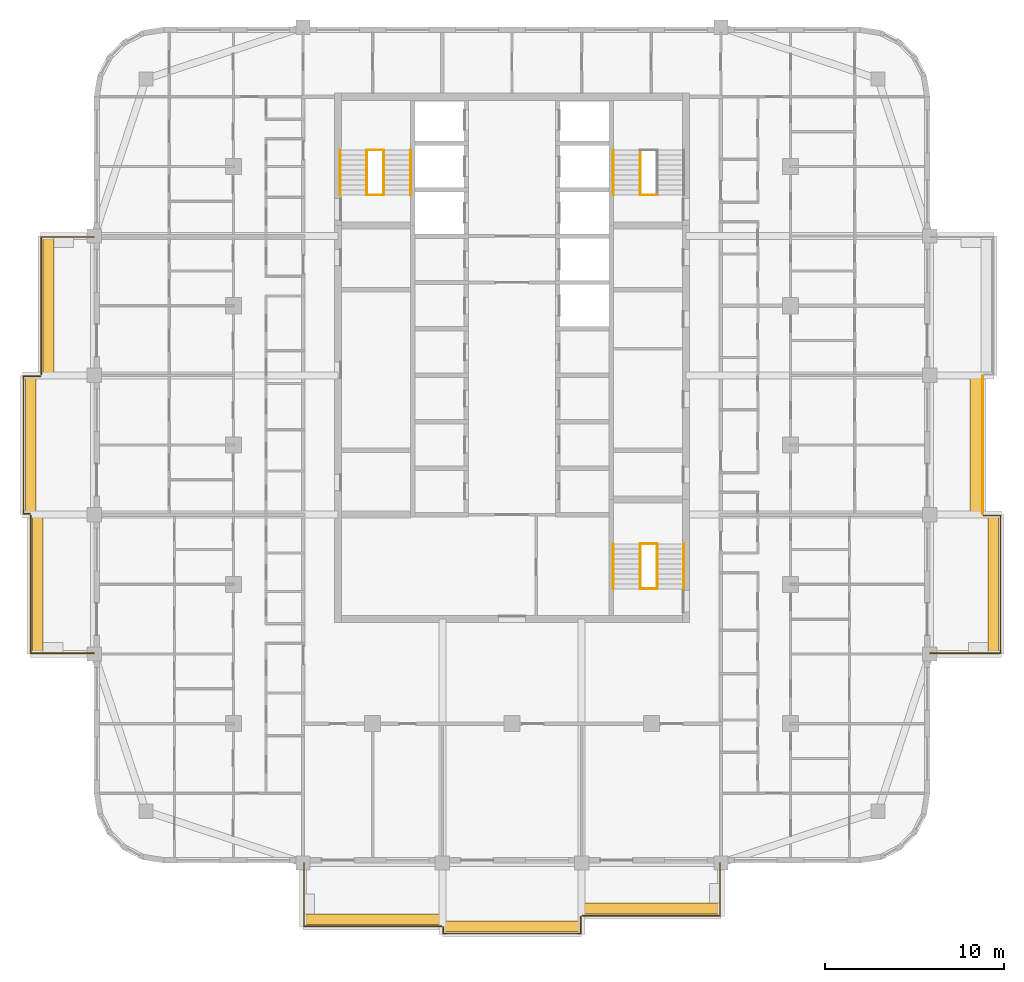
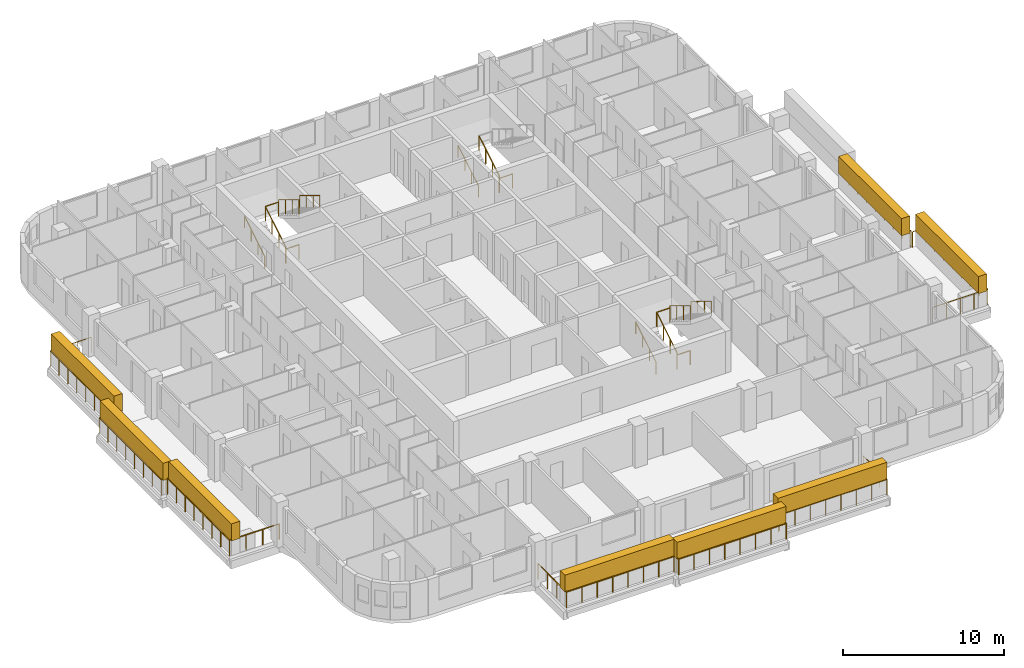
# One storey, part 15 of 16: 23 railings, 8 coverings, 3 elements without a shape of their own.
"""IFC4 building model written with IfcOpenShell, lengths in metres."""

from ifc_helpers import new_model, si_unit, direction, frame, origin, origin_2d, place, context, subcontext, project, spatial, rectangle, circle, extrude, material, layer, layer_set, type_object, element, aggregate, save


model = new_model("IFC4")

# Units and contexts
model_context = context("Model", 3, precision=1e-05, world=origin(), true_north=direction((0.0, 1.0)))
body_context = subcontext(model_context, "Body", "Model", "MODEL_VIEW")
ifc_project = project(units=[si_unit("LENGTHUNIT", "METRE"), si_unit("AREAUNIT", "SQUARE_METRE"), si_unit("VOLUMEUNIT", "CUBIC_METRE"), si_unit("PLANEANGLEUNIT", "RADIAN"), si_unit("MASSUNIT", "GRAM", prefix="KILO")], contexts=[model_context])

# Site, building, storey
site_placement = place(None, origin())
site = spatial("IfcSite", under=ifc_project, at=site_placement, CompositionType="ELEMENT")
building_placement = place(site_placement, origin())
building = spatial("IfcBuilding", under=site, at=building_placement, Name="Ludao Terraces", CompositionType="ELEMENT")
storey_placement = place(building_placement, frame((0.0, 0.0, 207.5)))
storey = spatial("IfcBuildingStorey", under=building, at=storey_placement, Name="L56", CompositionType="ELEMENT", Elevation=207.5)

# Railings
ifc_material_1 = material(Name="Stainless steel 304", Category="steel")
railing_type_1 = type_object("IfcRailingType", Name="ENV Balcony glass guard 1200", PredefinedType="GUARDRAIL", material=ifc_material_1)
railing_1_placement = place(storey_placement, frame((73.35009765625, 41.60009765625, 0.0)))
element("IfcRailing", 1, at=railing_1_placement, inside=storey, type_object=railing_type_1, Name="Balcony guard L56 S1", PredefinedType="GUARDRAIL", context=body_context, shape_type="SweptSolid", body=[
    extrude(circle(Radius=0.02392578125, at=origin_2d()), frame((0.0, 0.0, 1.17578125), z_axis=(0.0, -1.0, 0.0), x_axis=(1.0, 0.0, 0.0)), (0.0, 0.0, 1.0), 3.550048828125),
    extrude(circle(Radius=0.02392578125, at=origin_2d()), frame((0.0, -3.550048828125, 1.17578125), z_axis=(1.0, 0.0, 0.0), x_axis=(0.0, 1.0, 0.0)), (0.0, 0.0, 1.0), 7.699951171875),
    extrude(circle(Radius=0.02099609375, at=origin_2d()), origin(), (0.0, 0.0, 1.0), 1.15185546875),
    extrude(circle(Radius=0.02099609375, at=origin_2d()), frame((0.0, -1.183349609375, 0.0)), (0.0, 0.0, 1.0), 1.15185546875),
    extrude(circle(Radius=0.02099609375, at=origin_2d()), frame((0.0, -2.36669921875, 0.0)), (0.0, 0.0, 1.0), 1.15185546875),
    extrude(circle(Radius=0.02099609375, at=origin_2d()), frame((0.0, -3.550048828125, 0.0)), (0.0, 0.0, 1.0), 1.15185546875),
    extrude(circle(Radius=0.02099609375, at=origin_2d()), frame((1.10009765625, -3.550048828125, 0.0)), (0.0, 0.0, 1.0), 1.15185546875),
    extrude(circle(Radius=0.02099609375, at=origin_2d()), frame((2.199951171875, -3.550048828125, 0.0)), (0.0, 0.0, 1.0), 1.15185546875),
    extrude(circle(Radius=0.02099609375, at=origin_2d()), frame((3.300048828125, -3.550048828125, 0.0)), (0.0, 0.0, 1.0), 1.15185546875),
    extrude(circle(Radius=0.02099609375, at=origin_2d()), frame((4.39990234375, -3.550048828125, 0.0)), (0.0, 0.0, 1.0), 1.15185546875),
    extrude(circle(Radius=0.02099609375, at=origin_2d()), frame((5.5, -3.550048828125, 0.0)), (0.0, 0.0, 1.0), 1.15185546875),
    extrude(circle(Radius=0.02099609375, at=origin_2d()), frame((6.599853515625, -3.550048828125, 0.0)), (0.0, 0.0, 1.0), 1.15185546875),
    extrude(circle(Radius=0.02099609375, at=origin_2d()), frame((7.699951171875, -3.550048828125, 0.0)), (0.0, 0.0, 1.0), 1.15185546875),
])
railing_2_placement = place(storey_placement, frame((81.14990234375, 38.0, 0.0)))
element("IfcRailing", 2, at=railing_2_placement, inside=storey, type_object=railing_type_1, Name="Balcony guard L56 S2", PredefinedType="GUARDRAIL", context=body_context, shape_type="SweptSolid", body=[
    extrude(circle(Radius=0.02392578125, at=origin_2d()), frame((0.0, 0.0, 1.17578125), z_axis=(0.0, -1.0, 0.0), x_axis=(1.0, 0.0, 0.0)), (0.0, 0.0, 1.0), 0.35009765625),
    extrude(circle(Radius=0.02392578125, at=origin_2d()), frame((0.0, -0.35009765625, 1.17578125), z_axis=(1.0, 0.0, 0.0), x_axis=(0.0, 1.0, 0.0)), (0.0, 0.0, 1.0), 7.7001953125),
    extrude(circle(Radius=0.02392578125, at=origin_2d()), frame((7.7001953125, -0.35009765625, 1.17578125), z_axis=(0.0, 1.0, 0.0), x_axis=(-1.0, 0.0, 0.0)), (0.0, 0.0, 1.0), 0.9501953125),
    extrude(circle(Radius=0.02099609375, at=origin_2d()), origin(), (0.0, 0.0, 1.0), 1.15185546875),
    extrude(circle(Radius=0.02099609375, at=origin_2d()), frame((0.0, -0.35009765625, 0.0)), (0.0, 0.0, 1.0), 1.15185546875),
    extrude(circle(Radius=0.02099609375, at=origin_2d()), frame((1.10009765625, -0.35009765625, 0.0)), (0.0, 0.0, 1.0), 1.15185546875),
    extrude(circle(Radius=0.02099609375, at=origin_2d()), frame((2.199951171875, -0.35009765625, 0.0)), (0.0, 0.0, 1.0), 1.15185546875),
    extrude(circle(Radius=0.02099609375, at=origin_2d()), frame((3.300048828125, -0.35009765625, 0.0)), (0.0, 0.0, 1.0), 1.15185546875),
    extrude(circle(Radius=0.02099609375, at=origin_2d()), frame((4.400146484375, -0.35009765625, 0.0)), (0.0, 0.0, 1.0), 1.15185546875),
    extrude(circle(Radius=0.02099609375, at=origin_2d()), frame((5.500244140625, -0.35009765625, 0.0)), (0.0, 0.0, 1.0), 1.15185546875),
    extrude(circle(Radius=0.02099609375, at=origin_2d()), frame((6.60009765625, -0.35009765625, 0.0)), (0.0, 0.0, 1.0), 1.15185546875),
    extrude(circle(Radius=0.02099609375, at=origin_2d()), frame((7.7001953125, -0.35009765625, 0.0)), (0.0, 0.0, 1.0), 1.15185546875),
    extrude(circle(Radius=0.02099609375, at=origin_2d()), frame((7.7001953125, 0.60009765625, 0.0)), (0.0, 0.0, 1.0), 1.15185546875),
])
railing_3_placement = place(storey_placement, frame((88.949951171875, 38.64990234375, 0.0)))
element("IfcRailing", 3, at=railing_3_placement, inside=storey, type_object=railing_type_1, Name="Balcony guard L56 S3", PredefinedType="GUARDRAIL", context=body_context, shape_type="SweptSolid", body=[
    extrude(circle(Radius=0.02392578125, at=origin_2d()), frame((0.0, 0.0, 1.17578125), z_axis=(1.0, 0.0, 0.0), x_axis=(0.0, 1.0, 0.0)), (0.0, 0.0, 1.0), 7.699951171875),
    extrude(circle(Radius=0.02392578125, at=origin_2d()), frame((7.699951171875, 0.0, 1.17578125), z_axis=(0.0, 1.0, 0.0), x_axis=(-1.0, 0.0, 0.0)), (0.0, 0.0, 1.0), 2.9501953125),
    extrude(circle(Radius=0.02099609375, at=origin_2d()), origin(), (0.0, 0.0, 1.0), 1.15185546875),
    extrude(circle(Radius=0.02099609375, at=origin_2d()), frame((1.10009765625, 0.0, 0.0)), (0.0, 0.0, 1.0), 1.15185546875),
    extrude(circle(Radius=0.02099609375, at=origin_2d()), frame((2.199951171875, 0.0, 0.0)), (0.0, 0.0, 1.0), 1.15185546875),
    extrude(circle(Radius=0.02099609375, at=origin_2d()), frame((3.300048828125, 0.0, 0.0)), (0.0, 0.0, 1.0), 1.15185546875),
    extrude(circle(Radius=0.02099609375, at=origin_2d()), frame((4.39990234375, 0.0, 0.0)), (0.0, 0.0, 1.0), 1.15185546875),
    extrude(circle(Radius=0.02099609375, at=origin_2d()), frame((5.5, 0.0, 0.0)), (0.0, 0.0, 1.0), 1.15185546875),
    extrude(circle(Radius=0.02099609375, at=origin_2d()), frame((6.599853515625, 0.0, 0.0)), (0.0, 0.0, 1.0), 1.15185546875),
    extrude(circle(Radius=0.02099609375, at=origin_2d()), frame((7.699951171875, 0.0, 0.0)), (0.0, 0.0, 1.0), 1.15185546875),
    extrude(circle(Radius=0.02099609375, at=origin_2d()), frame((7.699951171875, 0.9833984375, 0.0)), (0.0, 0.0, 1.0), 1.15185546875),
    extrude(circle(Radius=0.02099609375, at=origin_2d()), frame((7.699951171875, 1.966796875, 0.0)), (0.0, 0.0, 1.0), 1.15185546875),
    extrude(circle(Radius=0.02099609375, at=origin_2d()), frame((7.699951171875, 2.9501953125, 0.0)), (0.0, 0.0, 1.0), 1.15185546875),
])
railing_4_placement = place(storey_placement, frame((108.39990234375, 53.35009765625, 0.0)))
element("IfcRailing", 4, at=railing_4_placement, inside=storey, type_object=railing_type_1, Name="Balcony guard L56 E1", PredefinedType="GUARDRAIL", context=body_context, shape_type="SweptSolid", body=[
    extrude(circle(Radius=0.02392578125, at=origin_2d()), frame((0.0, 0.0, 1.17578125), z_axis=(1.0, 0.0, 0.0), x_axis=(0.0, 1.0, 0.0)), (0.0, 0.0, 1.0), 3.9501953125),
    extrude(circle(Radius=0.02392578125, at=origin_2d()), frame((3.9501953125, 0.0, 1.17578125), z_axis=(0.0, 1.0, 0.0), x_axis=(-1.0, 0.0, 0.0)), (0.0, 0.0, 1.0), 7.699951171875),
    extrude(circle(Radius=0.02392578125, at=origin_2d()), frame((3.9501953125, 7.699951171875, 1.17578125), z_axis=(-1.0, 0.0, 0.0), x_axis=(0.0, -1.0, 0.0)), (0.0, 0.0, 1.0), 0.9501953125),
    extrude(circle(Radius=0.02099609375, at=origin_2d()), origin(), (0.0, 0.0, 1.0), 1.15185546875),
    extrude(circle(Radius=0.02099609375, at=origin_2d()), frame((0.987548828125, 0.0, 0.0)), (0.0, 0.0, 1.0), 1.15185546875),
    extrude(circle(Radius=0.02099609375, at=origin_2d()), frame((1.97509765625, 0.0, 0.0)), (0.0, 0.0, 1.0), 1.15185546875),
    extrude(circle(Radius=0.02099609375, at=origin_2d()), frame((2.962646484375, 0.0, 0.0)), (0.0, 0.0, 1.0), 1.15185546875),
    extrude(circle(Radius=0.02099609375, at=origin_2d()), frame((3.9501953125, 0.0, 0.0)), (0.0, 0.0, 1.0), 1.15185546875),
    extrude(circle(Radius=0.02099609375, at=origin_2d()), frame((3.9501953125, 1.10009765625, 0.0)), (0.0, 0.0, 1.0), 1.15185546875),
    extrude(circle(Radius=0.02099609375, at=origin_2d()), frame((3.9501953125, 2.199951171875, 0.0)), (0.0, 0.0, 1.0), 1.15185546875),
    extrude(circle(Radius=0.02099609375, at=origin_2d()), frame((3.9501953125, 3.300048828125, 0.0)), (0.0, 0.0, 1.0), 1.15185546875),
    extrude(circle(Radius=0.02099609375, at=origin_2d()), frame((3.9501953125, 4.39990234375, 0.0)), (0.0, 0.0, 1.0), 1.15185546875),
    extrude(circle(Radius=0.02099609375, at=origin_2d()), frame((3.9501953125, 5.5, 0.0)), (0.0, 0.0, 1.0), 1.15185546875),
    extrude(circle(Radius=0.02099609375, at=origin_2d()), frame((3.9501953125, 6.599853515625, 0.0)), (0.0, 0.0, 1.0), 1.15185546875),
    extrude(circle(Radius=0.02099609375, at=origin_2d()), frame((3.9501953125, 7.699951171875, 0.0)), (0.0, 0.0, 1.0), 1.15185546875),
    extrude(circle(Radius=0.02099609375, at=origin_2d()), frame((3.0, 7.699951171875, 0.0)), (0.0, 0.0, 1.0), 1.15185546875),
])
railing_5_placement = place(storey_placement, frame((111.35009765625, 61.14990234375, 0.0)))
element("IfcRailing", 5, at=railing_5_placement, inside=storey, type_object=railing_type_1, Name="Balcony guard L56 E2", PredefinedType="GUARDRAIL", context=body_context, shape_type="SweptSolid", body=[
    extrude(circle(Radius=0.02392578125, at=origin_2d()), frame((0.0, 0.0, 1.17578125), z_axis=(0.0, 1.0, 0.0), x_axis=(-1.0, 0.0, 0.0)), (0.0, 0.0, 1.0), 7.7001953125),
    extrude(circle(Radius=0.02099609375, at=origin_2d()), origin(), (0.0, 0.0, 1.0), 1.15185546875),
    extrude(circle(Radius=0.02099609375, at=origin_2d()), frame((0.0, 1.10009765625, 0.0)), (0.0, 0.0, 1.0), 1.15185546875),
    extrude(circle(Radius=0.02099609375, at=origin_2d()), frame((0.0, 2.199951171875, 0.0)), (0.0, 0.0, 1.0), 1.15185546875),
    extrude(circle(Radius=0.02099609375, at=origin_2d()), frame((0.0, 3.300048828125, 0.0)), (0.0, 0.0, 1.0), 1.15185546875),
    extrude(circle(Radius=0.02099609375, at=origin_2d()), frame((0.0, 4.400146484375, 0.0)), (0.0, 0.0, 1.0), 1.15185546875),
    extrude(circle(Radius=0.02099609375, at=origin_2d()), frame((0.0, 5.500244140625, 0.0)), (0.0, 0.0, 1.0), 1.15185546875),
    extrude(circle(Radius=0.02099609375, at=origin_2d()), frame((0.0, 6.60009765625, 0.0)), (0.0, 0.0, 1.0), 1.15185546875),
    extrude(circle(Radius=0.02099609375, at=origin_2d()), frame((0.0, 7.7001953125, 0.0)), (0.0, 0.0, 1.0), 1.15185546875),
])
railing_6_placement = place(storey_placement, frame((61.60009765625, 53.35009765625, 0.0)))
element("IfcRailing", 6, at=railing_6_placement, inside=storey, type_object=railing_type_1, Name="Balcony guard L56 W1", PredefinedType="GUARDRAIL", context=body_context, shape_type="SweptSolid", body=[
    extrude(circle(Radius=0.02392578125, at=origin_2d()), frame((0.0, 0.0, 1.17578125), z_axis=(-1.0, 0.0, 0.0), x_axis=(0.0, -1.0, 0.0)), (0.0, 0.0, 1.0), 3.550048828125),
    extrude(circle(Radius=0.02392578125, at=origin_2d()), frame((-3.550048828125, 0.0, 1.17578125), z_axis=(0.0, 1.0, 0.0), x_axis=(-1.0, 0.0, 0.0)), (0.0, 0.0, 1.0), 7.699951171875),
    extrude(circle(Radius=0.02099609375, at=origin_2d()), origin(), (0.0, 0.0, 1.0), 1.15185546875),
    extrude(circle(Radius=0.02099609375, at=origin_2d()), frame((-1.183349609375, 0.0, 0.0)), (0.0, 0.0, 1.0), 1.15185546875),
    extrude(circle(Radius=0.02099609375, at=origin_2d()), frame((-2.36669921875, 0.0, 0.0)), (0.0, 0.0, 1.0), 1.15185546875),
    extrude(circle(Radius=0.02099609375, at=origin_2d()), frame((-3.550048828125, 0.0, 0.0)), (0.0, 0.0, 1.0), 1.15185546875),
    extrude(circle(Radius=0.02099609375, at=origin_2d()), frame((-3.550048828125, 1.10009765625, 0.0)), (0.0, 0.0, 1.0), 1.15185546875),
    extrude(circle(Radius=0.02099609375, at=origin_2d()), frame((-3.550048828125, 2.199951171875, 0.0)), (0.0, 0.0, 1.0), 1.15185546875),
    extrude(circle(Radius=0.02099609375, at=origin_2d()), frame((-3.550048828125, 3.300048828125, 0.0)), (0.0, 0.0, 1.0), 1.15185546875),
    extrude(circle(Radius=0.02099609375, at=origin_2d()), frame((-3.550048828125, 4.39990234375, 0.0)), (0.0, 0.0, 1.0), 1.15185546875),
    extrude(circle(Radius=0.02099609375, at=origin_2d()), frame((-3.550048828125, 5.5, 0.0)), (0.0, 0.0, 1.0), 1.15185546875),
    extrude(circle(Radius=0.02099609375, at=origin_2d()), frame((-3.550048828125, 6.599853515625, 0.0)), (0.0, 0.0, 1.0), 1.15185546875),
    extrude(circle(Radius=0.02099609375, at=origin_2d()), frame((-3.550048828125, 7.699951171875, 0.0)), (0.0, 0.0, 1.0), 1.15185546875),
])
railing_7_placement = place(storey_placement, frame((58.0, 61.14990234375, 0.0)))
element("IfcRailing", 7, at=railing_7_placement, inside=storey, type_object=railing_type_1, Name="Balcony guard L56 W2", PredefinedType="GUARDRAIL", context=body_context, shape_type="SweptSolid", body=[
    extrude(circle(Radius=0.02392578125, at=origin_2d()), frame((0.0, 0.0, 1.17578125), z_axis=(-1.0, 0.0, 0.0), x_axis=(0.0, -1.0, 0.0)), (0.0, 0.0, 1.0), 0.35009765625),
    extrude(circle(Radius=0.02392578125, at=origin_2d()), frame((-0.35009765625, 0.0, 1.17578125), z_axis=(0.0, 1.0, 0.0), x_axis=(-1.0, 0.0, 0.0)), (0.0, 0.0, 1.0), 7.7001953125),
    extrude(circle(Radius=0.02392578125, at=origin_2d()), frame((-0.35009765625, 7.7001953125, 1.17578125), z_axis=(1.0, 0.0, 0.0), x_axis=(0.0, 1.0, 0.0)), (0.0, 0.0, 1.0), 0.9501953125),
    extrude(circle(Radius=0.02099609375, at=origin_2d()), origin(), (0.0, 0.0, 1.0), 1.15185546875),
    extrude(circle(Radius=0.02099609375, at=origin_2d()), frame((-0.35009765625, 0.0, 0.0)), (0.0, 0.0, 1.0), 1.15185546875),
    extrude(circle(Radius=0.02099609375, at=origin_2d()), frame((-0.35009765625, 1.10009765625, 0.0)), (0.0, 0.0, 1.0), 1.15185546875),
    extrude(circle(Radius=0.02099609375, at=origin_2d()), frame((-0.35009765625, 2.199951171875, 0.0)), (0.0, 0.0, 1.0), 1.15185546875),
    extrude(circle(Radius=0.02099609375, at=origin_2d()), frame((-0.35009765625, 3.300048828125, 0.0)), (0.0, 0.0, 1.0), 1.15185546875),
    extrude(circle(Radius=0.02099609375, at=origin_2d()), frame((-0.35009765625, 4.400146484375, 0.0)), (0.0, 0.0, 1.0), 1.15185546875),
    extrude(circle(Radius=0.02099609375, at=origin_2d()), frame((-0.35009765625, 5.500244140625, 0.0)), (0.0, 0.0, 1.0), 1.15185546875),
    extrude(circle(Radius=0.02099609375, at=origin_2d()), frame((-0.35009765625, 6.60009765625, 0.0)), (0.0, 0.0, 1.0), 1.15185546875),
    extrude(circle(Radius=0.02099609375, at=origin_2d()), frame((-0.35009765625, 7.7001953125, 0.0)), (0.0, 0.0, 1.0), 1.15185546875),
    extrude(circle(Radius=0.02099609375, at=origin_2d()), frame((0.60009765625, 7.7001953125, 0.0)), (0.0, 0.0, 1.0), 1.15185546875),
])
railing_8_placement = place(storey_placement, frame((58.64990234375, 68.949951171875, 0.0)))
element("IfcRailing", 8, at=railing_8_placement, inside=storey, type_object=railing_type_1, Name="Balcony guard L56 W3", PredefinedType="GUARDRAIL", context=body_context, shape_type="SweptSolid", body=[
    extrude(circle(Radius=0.02392578125, at=origin_2d()), frame((0.0, 0.0, 1.17578125), z_axis=(0.0, 1.0, 0.0), x_axis=(-1.0, 0.0, 0.0)), (0.0, 0.0, 1.0), 7.699951171875),
    extrude(circle(Radius=0.02392578125, at=origin_2d()), frame((0.0, 7.699951171875, 1.17578125), z_axis=(1.0, 0.0, 0.0), x_axis=(0.0, 1.0, 0.0)), (0.0, 0.0, 1.0), 2.9501953125),
    extrude(circle(Radius=0.02099609375, at=origin_2d()), origin(), (0.0, 0.0, 1.0), 1.15185546875),
    extrude(circle(Radius=0.02099609375, at=origin_2d()), frame((0.0, 1.10009765625, 0.0)), (0.0, 0.0, 1.0), 1.15185546875),
    extrude(circle(Radius=0.02099609375, at=origin_2d()), frame((0.0, 2.199951171875, 0.0)), (0.0, 0.0, 1.0), 1.15185546875),
    extrude(circle(Radius=0.02099609375, at=origin_2d()), frame((0.0, 3.300048828125, 0.0)), (0.0, 0.0, 1.0), 1.15185546875),
    extrude(circle(Radius=0.02099609375, at=origin_2d()), frame((0.0, 4.39990234375, 0.0)), (0.0, 0.0, 1.0), 1.15185546875),
    extrude(circle(Radius=0.02099609375, at=origin_2d()), frame((0.0, 5.5, 0.0)), (0.0, 0.0, 1.0), 1.15185546875),
    extrude(circle(Radius=0.02099609375, at=origin_2d()), frame((0.0, 6.599853515625, 0.0)), (0.0, 0.0, 1.0), 1.15185546875),
    extrude(circle(Radius=0.02099609375, at=origin_2d()), frame((0.0, 7.699951171875, 0.0)), (0.0, 0.0, 1.0), 1.15185546875),
    extrude(circle(Radius=0.02099609375, at=origin_2d()), frame((0.9833984375, 7.699951171875, 0.0)), (0.0, 0.0, 1.0), 1.15185546875),
    extrude(circle(Radius=0.02099609375, at=origin_2d()), frame((1.966796875, 7.699951171875, 0.0)), (0.0, 0.0, 1.0), 1.15185546875),
    extrude(circle(Radius=0.02099609375, at=origin_2d()), frame((2.9501953125, 7.699951171875, 0.0)), (0.0, 0.0, 1.0), 1.15185546875),
])

# Coverings
ifc_material_2 = material(Name="Planting")
ifc_layer = layer(ifc_material_2, 0.60009765625)
ifc_layer_set = layer_set([ifc_layer], Name="ENV Planting hedge 600x1300")
covering_type = type_object("IfcCoveringType", Name="ENV Planting hedge 600x1300", PredefinedType="USERDEFINED", material=ifc_layer_set)
for number, where, z_axis, x_axis, name in (
    (9, (77.199951171875, 38.449951171875, 1.10009765625), (0.0, 0.0, 1.0), (1.0, 0.0, 0.0), "Planting hedge L56-S1"),
    (10, (85.0, 38.050048828125, 1.10009765625), (0.0, 0.0, 1.0), (1.0, 0.0, 0.0), "Planting hedge L56-S2"),
    (11, (92.800048828125, 39.050048828125, 1.10009765625), (0.0, 0.0, 1.0), (1.0, 0.0, 0.0), "Planting hedge L56-S3"),
):
    element("IfcCovering", number, at=place(storey_placement, frame(where, z_axis=z_axis, x_axis=x_axis)), inside=storey, type_object=covering_type, Name=name, ObjectType="PLANTING", PredefinedType="USERDEFINED", context=body_context, shape_type="SweptSolid", body=[
        extrude(rectangle(XDim=7.800048828125, YDim=0.60009765625, at=origin_2d()), origin(), (0.0, 0.0, 1.0), 1.300048828125),
    ])
for number, where, z_axis, x_axis, name in (
    (12, (111.949951171875, 57.199951171875, 1.10009765625), (0.0, 0.0, 1.0), (1.0, 0.0, 0.0), "Planting hedge L56-E1"),
    (13, (110.949951171875, 65.0, 1.10009765625), (0.0, 0.0, 1.0), (1.0, 0.0, 0.0), "Planting hedge L56-E2"),
    (14, (58.449951171875, 57.199951171875, 1.10009765625), (0.0, 0.0, 1.0), (1.0, 0.0, 0.0), "Planting hedge L56-W1"),
    (15, (58.050048828125, 65.0, 1.10009765625), (0.0, 0.0, 1.0), (1.0, 0.0, 0.0), "Planting hedge L56-W2"),
    (16, (59.050048828125, 72.800048828125, 1.10009765625), (0.0, 0.0, 1.0), (1.0, 0.0, 0.0), "Planting hedge L56-W3"),
):
    element("IfcCovering", number, at=place(storey_placement, frame(where, z_axis=z_axis, x_axis=x_axis)), inside=storey, type_object=covering_type, Name=name, ObjectType="PLANTING", PredefinedType="USERDEFINED", context=body_context, shape_type="SweptSolid", body=[
        extrude(rectangle(XDim=0.60009765625, YDim=7.800048828125, at=origin_2d()), origin(), (0.0, 0.0, 1.0), 1.300048828125),
    ])

# Stair, railings
ifc_material_3 = material(Name="Concrete C40", Category="concrete")
stair_type = type_object("IfcStairType", Name="INT Stair", PredefinedType="HALF_TURN_STAIR", material=ifc_material_3)
stair_1_placement = place(storey_placement, origin())
stair_1 = element("IfcStair", 17, at=stair_1_placement, inside=storey, type_object=stair_type, Name="EXIT STAIR 1", PredefinedType="HALF_TURN_STAIR")
railing_type_2 = type_object("IfcRailingType", Name="INT Stair guard 1100", PredefinedType="GUARDRAIL", material=ifc_material_1)
railing_9_placement = place(storey_placement, frame((76.875, 79.0, 0.169921875)))
railing_9 = element("IfcRailing", 18, at=railing_9_placement, type_object=railing_type_2, Name="ST-L56-S1-R1G", PredefinedType="GUARDRAIL", context=body_context, shape_type="SweptSolid", body=[
    extrude(circle(Radius=0.02392578125, at=origin_2d()), frame((0.0, 0.0, 1.076171875), z_axis=(0.0, 0.85478489116, 0.518982456201), x_axis=(-1.0, 0.0, 0.0)), (0.0, 0.0, 1.0), 2.9482421875),
    extrude(circle(Radius=0.02099609375, at=origin_2d()), origin(), (0.0, 0.0, 1.0), 1.052001953125),
    extrude(circle(Radius=0.02099609375, at=origin_2d()), frame((0.0, 0.840087890625, 0.510009765625)), (0.0, 0.0, 1.0), 1.052001953125),
    extrude(circle(Radius=0.02099609375, at=origin_2d()), frame((0.0, 1.679931640625, 1.02001953125)), (0.0, 0.0, 1.0), 1.052001953125),
    extrude(circle(Radius=0.02099609375, at=origin_2d()), frame((0.0, 2.52001953125, 1.530029296875)), (0.0, 0.0, 1.0), 1.052001953125),
])
railing_10_placement = place(storey_placement, frame((77.824951171875, 81.52001953125, 1.8701171875)))
railing_10 = element("IfcRailing", 19, at=railing_10_placement, type_object=railing_type_2, Name="ST-L56-S1-R2G", PredefinedType="GUARDRAIL", context=body_context, shape_type="SweptSolid", body=[
    extrude(circle(Radius=0.02392578125, at=origin_2d()), frame((0.0, 0.0, 1.076171875), z_axis=(0.0, -0.854821627497, 0.518921945155), x_axis=(1.0, 0.0, 0.0)), (0.0, 0.0, 1.0), 2.947998046875),
    extrude(circle(Radius=0.02099609375, at=origin_2d()), origin(), (0.0, 0.0, 1.0), 1.052001953125),
    extrude(circle(Radius=0.02099609375, at=origin_2d()), frame((0.0, -0.840087890625, 0.510009765625)), (0.0, 0.0, 1.0), 1.052001953125),
    extrude(circle(Radius=0.02099609375, at=origin_2d()), frame((0.0, -1.679931640625, 1.019775390625)), (0.0, 0.0, 1.0), 1.052001953125),
    extrude(circle(Radius=0.02099609375, at=origin_2d()), frame((0.0, -2.52001953125, 1.52978515625)), (0.0, 0.0, 1.0), 1.052001953125),
])
railing_11_placement = place(storey_placement, frame((76.875, 81.52001953125, 1.699951171875)))
railing_11 = element("IfcRailing", 20, at=railing_11_placement, type_object=railing_type_2, Name="ST-L56-S1-E1G", PredefinedType="GUARDRAIL", context=body_context, shape_type="SweptSolid", body=[
    extrude(circle(Radius=0.02392578125, at=origin_2d()), frame((0.0, 0.0, 1.076171875), z_axis=(1.0, 0.0, 0.0), x_axis=(0.0, 1.0, 0.0)), (0.0, 0.0, 1.0), 0.949951171875),
    extrude(circle(Radius=0.02099609375, at=origin_2d()), origin(), (0.0, 0.0, 1.0), 1.052001953125),
    extrude(circle(Radius=0.02099609375, at=origin_2d()), frame((0.949951171875, 0.0, 0.0)), (0.0, 0.0, 1.0), 1.052001953125),
])
railing_12_placement = place(storey_placement, frame((76.875, 79.0, 0.0)))
railing_12 = element("IfcRailing", 21, at=railing_12_placement, type_object=railing_type_2, Name="ST-L56-S1-E2G", PredefinedType="GUARDRAIL", context=body_context, shape_type="SweptSolid", body=[
    extrude(circle(Radius=0.02392578125, at=origin_2d()), frame((0.0, 0.0, 1.076171875), z_axis=(1.0, 0.0, 0.0), x_axis=(0.0, 1.0, 0.0)), (0.0, 0.0, 1.0), 0.949951171875),
    extrude(circle(Radius=0.02099609375, at=origin_2d()), origin(), (0.0, 0.0, 1.0), 1.052001953125),
    extrude(circle(Radius=0.02099609375, at=origin_2d()), frame((0.949951171875, 0.0, 0.0)), (0.0, 0.0, 1.0), 1.052001953125),
])

stair_2_placement = place(storey_placement, origin())
stair_2 = element("IfcStair", 22, at=stair_2_placement, inside=storey, type_object=stair_type, Name="EXIT STAIR 2", PredefinedType="HALF_TURN_STAIR")
railing_13_placement = place(storey_placement, frame((92.175048828125, 79.0, 0.169921875)))
railing_13 = element("IfcRailing", 23, at=railing_13_placement, type_object=railing_type_2, Name="ST-L56-S2-R1G", PredefinedType="GUARDRAIL", context=body_context, shape_type="SweptSolid", body=[
    extrude(circle(Radius=0.02392578125, at=origin_2d()), frame((0.0, 0.0, 1.076171875), z_axis=(0.0, 0.85478489116, 0.518982456201), x_axis=(-1.0, 0.0, 0.0)), (0.0, 0.0, 1.0), 2.9482421875),
    extrude(circle(Radius=0.02099609375, at=origin_2d()), origin(), (0.0, 0.0, 1.0), 1.052001953125),
    extrude(circle(Radius=0.02099609375, at=origin_2d()), frame((0.0, 0.840087890625, 0.510009765625)), (0.0, 0.0, 1.0), 1.052001953125),
    extrude(circle(Radius=0.02099609375, at=origin_2d()), frame((0.0, 1.679931640625, 1.02001953125)), (0.0, 0.0, 1.0), 1.052001953125),
    extrude(circle(Radius=0.02099609375, at=origin_2d()), frame((0.0, 2.52001953125, 1.530029296875)), (0.0, 0.0, 1.0), 1.052001953125),
])
railing_14_placement = place(storey_placement, frame((92.175048828125, 79.0, 0.0)))
railing_14 = element("IfcRailing", 24, at=railing_14_placement, type_object=railing_type_2, Name="ST-L56-S2-E2G", PredefinedType="GUARDRAIL", context=body_context, shape_type="SweptSolid", body=[
    extrude(circle(Radius=0.02392578125, at=origin_2d()), frame((0.0, 0.0, 1.076171875), z_axis=(1.0, 0.0, 0.0), x_axis=(0.0, 1.0, 0.0)), (0.0, 0.0, 1.0), 0.949951171875),
    extrude(circle(Radius=0.02099609375, at=origin_2d()), origin(), (0.0, 0.0, 1.0), 1.052001953125),
    extrude(circle(Radius=0.02099609375, at=origin_2d()), frame((0.949951171875, 0.0, 0.0)), (0.0, 0.0, 1.0), 1.052001953125),
])

stair_3_placement = place(storey_placement, origin())
stair_3 = element("IfcStair", 25, at=stair_3_placement, inside=storey, type_object=stair_type, Name="EXIT STAIR 3", PredefinedType="HALF_TURN_STAIR")
railing_15_placement = place(storey_placement, frame((92.175048828125, 56.949951171875, 0.169921875)))
railing_15 = element("IfcRailing", 26, at=railing_15_placement, type_object=railing_type_2, Name="ST-L56-S3-R1G", PredefinedType="GUARDRAIL", context=body_context, shape_type="SweptSolid", body=[
    extrude(circle(Radius=0.02392578125, at=origin_2d()), frame((0.0, 0.0, 1.076171875), z_axis=(0.0, 0.85478489116, 0.518982456201), x_axis=(-1.0, 0.0, 0.0)), (0.0, 0.0, 1.0), 2.9482421875),
    extrude(circle(Radius=0.02099609375, at=origin_2d()), origin(), (0.0, 0.0, 1.0), 1.052001953125),
    extrude(circle(Radius=0.02099609375, at=origin_2d()), frame((0.0, 0.840087890625, 0.510009765625)), (0.0, 0.0, 1.0), 1.052001953125),
    extrude(circle(Radius=0.02099609375, at=origin_2d()), frame((0.0, 1.679931640625, 1.02001953125)), (0.0, 0.0, 1.0), 1.052001953125),
    extrude(circle(Radius=0.02099609375, at=origin_2d()), frame((0.0, 2.52001953125, 1.530029296875)), (0.0, 0.0, 1.0), 1.052001953125),
])
railing_16_placement = place(storey_placement, frame((93.125, 59.469970703125, 1.8701171875)))
railing_16 = element("IfcRailing", 27, at=railing_16_placement, type_object=railing_type_2, Name="ST-L56-S3-R2G", PredefinedType="GUARDRAIL", context=body_context, shape_type="SweptSolid", body=[
    extrude(circle(Radius=0.02392578125, at=origin_2d()), frame((0.0, 0.0, 1.076171875), z_axis=(0.0, -0.854821627497, 0.518921945155), x_axis=(1.0, 0.0, 0.0)), (0.0, 0.0, 1.0), 2.947998046875),
    extrude(circle(Radius=0.02099609375, at=origin_2d()), origin(), (0.0, 0.0, 1.0), 1.052001953125),
    extrude(circle(Radius=0.02099609375, at=origin_2d()), frame((0.0, -0.840087890625, 0.510009765625)), (0.0, 0.0, 1.0), 1.052001953125),
    extrude(circle(Radius=0.02099609375, at=origin_2d()), frame((0.0, -1.679931640625, 1.019775390625)), (0.0, 0.0, 1.0), 1.052001953125),
    extrude(circle(Radius=0.02099609375, at=origin_2d()), frame((0.0, -2.52001953125, 1.52978515625)), (0.0, 0.0, 1.0), 1.052001953125),
])
railing_17_placement = place(storey_placement, frame((92.175048828125, 59.469970703125, 1.699951171875)))
railing_17 = element("IfcRailing", 28, at=railing_17_placement, type_object=railing_type_2, Name="ST-L56-S3-E1G", PredefinedType="GUARDRAIL", context=body_context, shape_type="SweptSolid", body=[
    extrude(circle(Radius=0.02392578125, at=origin_2d()), frame((0.0, 0.0, 1.076171875), z_axis=(1.0, 0.0, 0.0), x_axis=(0.0, 1.0, 0.0)), (0.0, 0.0, 1.0), 0.949951171875),
    extrude(circle(Radius=0.02099609375, at=origin_2d()), origin(), (0.0, 0.0, 1.0), 1.052001953125),
    extrude(circle(Radius=0.02099609375, at=origin_2d()), frame((0.949951171875, 0.0, 0.0)), (0.0, 0.0, 1.0), 1.052001953125),
])
railing_18_placement = place(storey_placement, frame((92.175048828125, 56.949951171875, 0.0)))
railing_18 = element("IfcRailing", 29, at=railing_18_placement, type_object=railing_type_2, Name="ST-L56-S3-E2G", PredefinedType="GUARDRAIL", context=body_context, shape_type="SweptSolid", body=[
    extrude(circle(Radius=0.02392578125, at=origin_2d()), frame((0.0, 0.0, 1.076171875), z_axis=(1.0, 0.0, 0.0), x_axis=(0.0, 1.0, 0.0)), (0.0, 0.0, 1.0), 0.949951171875),
    extrude(circle(Radius=0.02099609375, at=origin_2d()), origin(), (0.0, 0.0, 1.0), 1.052001953125),
    extrude(circle(Radius=0.02099609375, at=origin_2d()), frame((0.949951171875, 0.0, 0.0)), (0.0, 0.0, 1.0), 1.052001953125),
])

# Railing
railing_type_3 = type_object("IfcRailingType", Name="INT Stair handrail 900", PredefinedType="HANDRAIL", material=ifc_material_1)
railing_19_placement = place(storey_placement, frame((75.375, 79.0, 0.169921875)))
railing_19 = element("IfcRailing", 30, at=railing_19_placement, type_object=railing_type_3, Name="ST-L56-S1-R1H", PredefinedType="HANDRAIL", context=body_context, shape_type="SweptSolid", body=[
    extrude(circle(Radius=0.02392578125, at=origin_2d()), frame((0.0, 0.0, 0.8759765625), z_axis=(0.0, 0.85478489116, 0.518982456201), x_axis=(-1.0, 0.0, 0.0)), (0.0, 0.0, 1.0), 2.9482421875),
    extrude(circle(Radius=0.02099609375, at=origin_2d()), origin(), (0.0, 0.0, 1.0), 0.851806640625),
    extrude(circle(Radius=0.02099609375, at=origin_2d()), frame((0.0, 0.840087890625, 0.510009765625)), (0.0, 0.0, 1.0), 0.851806640625),
    extrude(circle(Radius=0.02099609375, at=origin_2d()), frame((0.0, 1.679931640625, 1.02001953125)), (0.0, 0.0, 1.0), 0.851806640625),
    extrude(circle(Radius=0.02099609375, at=origin_2d()), frame((0.0, 2.52001953125, 1.530029296875)), (0.0, 0.0, 1.0), 0.851806640625),
])

railing_20_placement = place(storey_placement, frame((79.324951171875, 81.52001953125, 1.8701171875)))
railing_20 = element("IfcRailing", 31, at=railing_20_placement, type_object=railing_type_3, Name="ST-L56-S1-R2H", PredefinedType="HANDRAIL", context=body_context, shape_type="SweptSolid", body=[
    extrude(circle(Radius=0.02392578125, at=origin_2d()), frame((0.0, 0.0, 0.8759765625), z_axis=(0.0, -0.854821627497, 0.518921945155), x_axis=(1.0, 0.0, 0.0)), (0.0, 0.0, 1.0), 2.947998046875),
    extrude(circle(Radius=0.02099609375, at=origin_2d()), origin(), (0.0, 0.0, 1.0), 0.851806640625),
    extrude(circle(Radius=0.02099609375, at=origin_2d()), frame((0.0, -0.840087890625, 0.510009765625)), (0.0, 0.0, 1.0), 0.851806640625),
    extrude(circle(Radius=0.02099609375, at=origin_2d()), frame((0.0, -1.679931640625, 1.019775390625)), (0.0, 0.0, 1.0), 0.851806640625),
    extrude(circle(Radius=0.02099609375, at=origin_2d()), frame((0.0, -2.52001953125, 1.52978515625)), (0.0, 0.0, 1.0), 0.851806640625),
])

aggregate(stair_1, [railing_9, railing_19, railing_10, railing_20, railing_11, railing_12])

railing_21_placement = place(storey_placement, frame((90.675048828125, 79.0, 0.169921875)))
railing_21 = element("IfcRailing", 32, at=railing_21_placement, type_object=railing_type_3, Name="ST-L56-S2-R1H", PredefinedType="HANDRAIL", context=body_context, shape_type="SweptSolid", body=[
    extrude(circle(Radius=0.02392578125, at=origin_2d()), frame((0.0, 0.0, 0.8759765625), z_axis=(0.0, 0.85478489116, 0.518982456201), x_axis=(-1.0, 0.0, 0.0)), (0.0, 0.0, 1.0), 2.9482421875),
    extrude(circle(Radius=0.02099609375, at=origin_2d()), origin(), (0.0, 0.0, 1.0), 0.851806640625),
    extrude(circle(Radius=0.02099609375, at=origin_2d()), frame((0.0, 0.840087890625, 0.510009765625)), (0.0, 0.0, 1.0), 0.851806640625),
    extrude(circle(Radius=0.02099609375, at=origin_2d()), frame((0.0, 1.679931640625, 1.02001953125)), (0.0, 0.0, 1.0), 0.851806640625),
    extrude(circle(Radius=0.02099609375, at=origin_2d()), frame((0.0, 2.52001953125, 1.530029296875)), (0.0, 0.0, 1.0), 0.851806640625),
])

aggregate(stair_2, [railing_13, railing_21, railing_14])

railing_22_placement = place(storey_placement, frame((90.675048828125, 56.949951171875, 0.169921875)))
railing_22 = element("IfcRailing", 33, at=railing_22_placement, type_object=railing_type_3, Name="ST-L56-S3-R1H", PredefinedType="HANDRAIL", context=body_context, shape_type="SweptSolid", body=[
    extrude(circle(Radius=0.02392578125, at=origin_2d()), frame((0.0, 0.0, 0.8759765625), z_axis=(0.0, 0.85478489116, 0.518982456201), x_axis=(-1.0, 0.0, 0.0)), (0.0, 0.0, 1.0), 2.9482421875),
    extrude(circle(Radius=0.02099609375, at=origin_2d()), origin(), (0.0, 0.0, 1.0), 0.851806640625),
    extrude(circle(Radius=0.02099609375, at=origin_2d()), frame((0.0, 0.840087890625, 0.510009765625)), (0.0, 0.0, 1.0), 0.851806640625),
    extrude(circle(Radius=0.02099609375, at=origin_2d()), frame((0.0, 1.679931640625, 1.02001953125)), (0.0, 0.0, 1.0), 0.851806640625),
    extrude(circle(Radius=0.02099609375, at=origin_2d()), frame((0.0, 2.52001953125, 1.530029296875)), (0.0, 0.0, 1.0), 0.851806640625),
])

railing_23_placement = place(storey_placement, frame((94.625, 59.469970703125, 1.8701171875)))
railing_23 = element("IfcRailing", 34, at=railing_23_placement, type_object=railing_type_3, Name="ST-L56-S3-R2H", PredefinedType="HANDRAIL", context=body_context, shape_type="SweptSolid", body=[
    extrude(circle(Radius=0.02392578125, at=origin_2d()), frame((0.0, 0.0, 0.8759765625), z_axis=(0.0, -0.854821627497, 0.518921945155), x_axis=(1.0, 0.0, 0.0)), (0.0, 0.0, 1.0), 2.947998046875),
    extrude(circle(Radius=0.02099609375, at=origin_2d()), origin(), (0.0, 0.0, 1.0), 0.851806640625),
    extrude(circle(Radius=0.02099609375, at=origin_2d()), frame((0.0, -0.840087890625, 0.510009765625)), (0.0, 0.0, 1.0), 0.851806640625),
    extrude(circle(Radius=0.02099609375, at=origin_2d()), frame((0.0, -1.679931640625, 1.019775390625)), (0.0, 0.0, 1.0), 0.851806640625),
    extrude(circle(Radius=0.02099609375, at=origin_2d()), frame((0.0, -2.52001953125, 1.52978515625)), (0.0, 0.0, 1.0), 0.851806640625),
])

aggregate(stair_3, [railing_15, railing_22, railing_16, railing_23, railing_17, railing_18])

save(model, "model.ifc")
